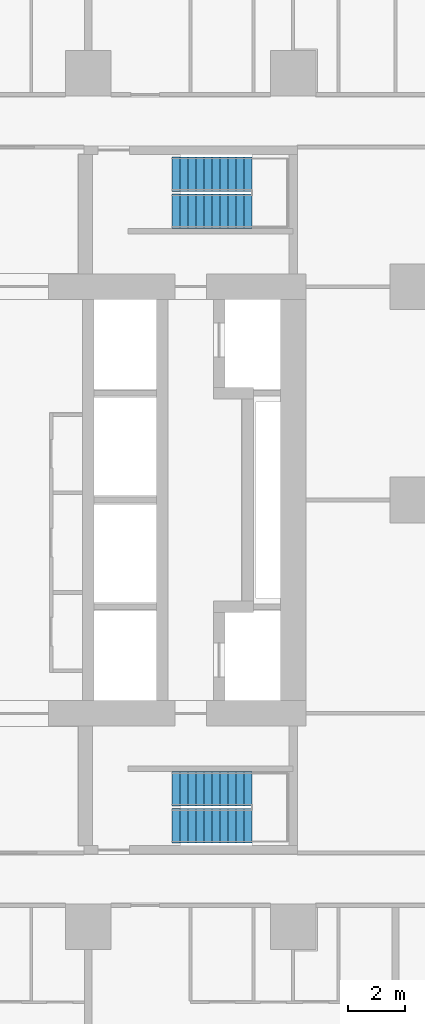
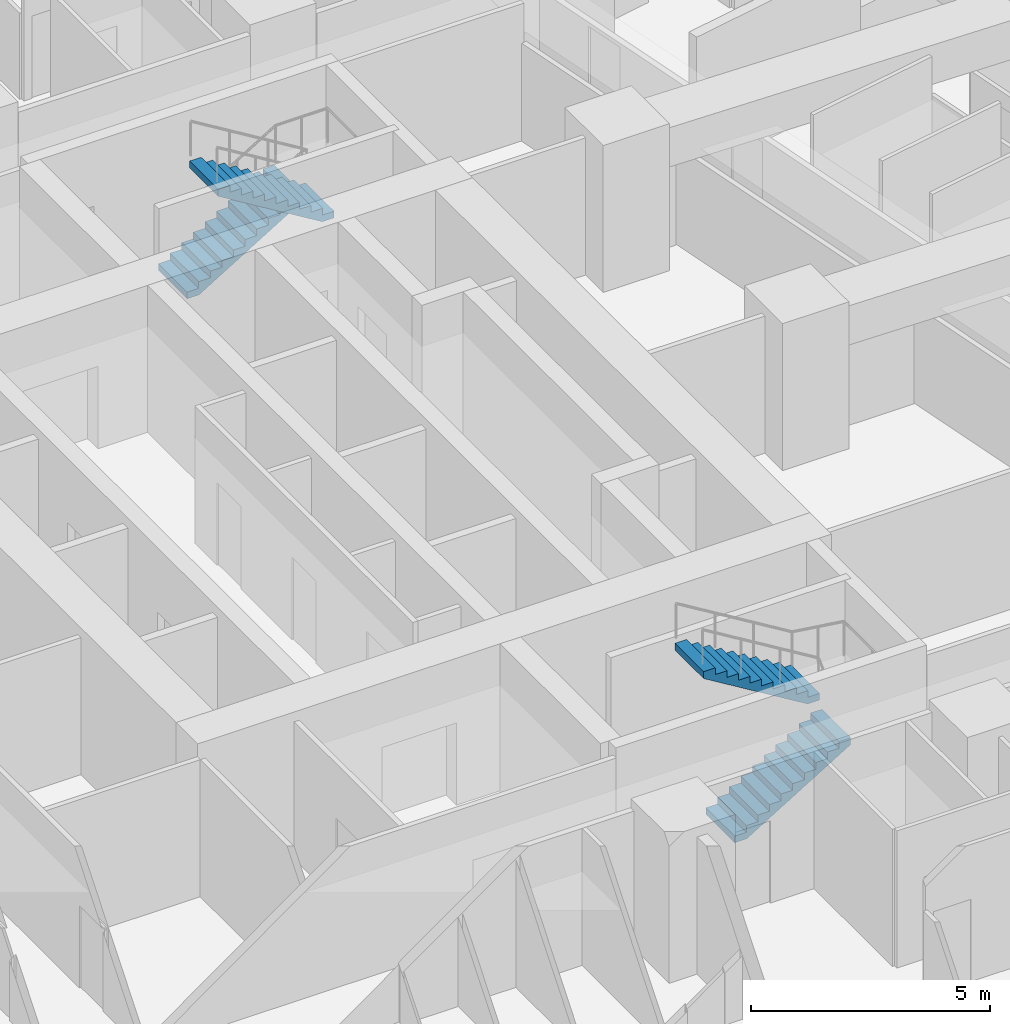
# One storey, part 12 of 15: 4 stair flights, 2 elements without a shape of their own.
"""IFC4 building model written with IfcOpenShell, lengths in metres."""

from ifc_helpers import new_model, si_unit, direction, frame, origin, place, context, subcontext, project, spatial, triangles, material, type_object, element, aggregate, save


model = new_model("IFC4")

# Units and contexts
model_context = context("Model", 3, precision=1e-05, world=origin(), true_north=direction((0.0, 1.0)))
body_context = subcontext(model_context, "Body", "Model", "MODEL_VIEW")
ifc_project = project(units=[si_unit("LENGTHUNIT", "METRE"), si_unit("AREAUNIT", "SQUARE_METRE"), si_unit("VOLUMEUNIT", "CUBIC_METRE"), si_unit("PLANEANGLEUNIT", "RADIAN"), si_unit("MASSUNIT", "GRAM", prefix="KILO")], contexts=[model_context])

# Site, building, storey
site_placement = place(None, origin())
site = spatial("IfcSite", under=ifc_project, at=site_placement, CompositionType="ELEMENT")
building_placement = place(site_placement, origin())
building = spatial("IfcBuilding", under=site, at=building_placement, Name="Sheger Commons Tower", CompositionType="ELEMENT")
storey_placement = place(building_placement, frame((0.0, 0.0, 100.39990234375)))
storey = spatial("IfcBuildingStorey", under=building, at=storey_placement, Name="L25", CompositionType="ELEMENT", Elevation=100.39990234375)

# Stair, stair flights
ifc_material_1 = material(Name="Concrete C35/45", Category="concrete")
stair_type = type_object("IfcStairType", Name="HALF-TURN STAIR 1200 RISE 3750", PredefinedType="HALF_TURN_STAIR", material=ifc_material_1)
stair_1_placement = place(storey_placement, origin())
stair_1 = element("IfcStair", 1, at=stair_1_placement, inside=storey, type_object=stair_type, Name="Stair S1 L25", PredefinedType="HALF_TURN_STAIR")
ifc_material_2 = material(Name="Concrete C35/45", Category="concrete")
stair_flight_type = type_object("IfcStairFlightType", Name="STAIR FLIGHT 1200 11 RISERS OF 170", PredefinedType="STRAIGHT", material=ifc_material_2)
stair_flight_1_placement = place(storey_placement, frame((24.550048828125, 11.050048828125, 0.0), z_axis=(0.0, 0.0, 1.0), x_axis=(1.0, 0.0, 0.0)))
stair_flight_1 = element("IfcStairFlight", 2, at=stair_flight_1_placement, type_object=stair_flight_type, Name="S1 flight 1", NumberOfRisers=11, NumberOfTreads=10, PredefinedType="STRAIGHT", RiserHeight=0.170454545, TreadLength=0.28, context=body_context, shape_type="Tessellation", body=[
    triangles([(0.0, 0.5999755859375, 0.0), (0.0, 0.5999755859375, 0.17041015625), (0.280029296875, 0.5999755859375, 0.17041015625), (0.280029296875, 0.5999755859375, 0.3408203125), (0.56005859375, 0.5999755859375, 0.3408203125), (0.56005859375, 0.5999755859375, 0.511474609375), (0.840087890625, 0.5999755859375, 0.511474609375), (0.840087890625, 0.5999755859375, 0.681884765625), (1.1201171875, 0.5999755859375, 0.681884765625), (1.1201171875, 0.5999755859375, 0.852294921875), (1.39990234375, 0.5999755859375, 0.852294921875), (1.39990234375, 0.5999755859375, 1.022705078125), (1.679931640625, 0.5999755859375, 1.022705078125), (1.679931640625, 0.5999755859375, 1.193115234375), (1.9599609375, 0.5999755859375, 1.193115234375), (1.9599609375, 0.5999755859375, 1.363525390625), (2.239990234375, 0.5999755859375, 1.363525390625), (2.239990234375, 0.5999755859375, 1.5341796875), (2.52001953125, 0.5999755859375, 1.5341796875), (2.52001953125, 0.5999755859375, 1.70458984375), (2.800048828125, 0.5999755859375, 1.70458984375), (2.800048828125, 0.5999755859375, 1.529052734375), (0.288330078125, 0.5999755859375, 0.0), (0.0, -0.5999755859375, 0.0), (0.0, -0.5999755859375, 0.17041015625), (0.280029296875, -0.5999755859375, 0.17041015625), (0.280029296875, -0.5999755859375, 0.3408203125), (0.56005859375, -0.5999755859375, 0.3408203125), (0.56005859375, -0.5999755859375, 0.511474609375), (0.840087890625, -0.5999755859375, 0.511474609375), (0.840087890625, -0.5999755859375, 0.681884765625), (1.1201171875, -0.5999755859375, 0.681884765625), (1.1201171875, -0.5999755859375, 0.852294921875), (1.39990234375, -0.5999755859375, 0.852294921875), (1.39990234375, -0.5999755859375, 1.022705078125), (1.679931640625, -0.5999755859375, 1.022705078125), (1.679931640625, -0.5999755859375, 1.193115234375), (1.9599609375, -0.5999755859375, 1.193115234375), (1.9599609375, -0.5999755859375, 1.363525390625), (2.239990234375, -0.5999755859375, 1.363525390625), (2.239990234375, -0.5999755859375, 1.5341796875), (2.52001953125, -0.5999755859375, 1.5341796875), (2.52001953125, -0.5999755859375, 1.70458984375), (2.800048828125, -0.5999755859375, 1.70458984375), (2.800048828125, -0.5999755859375, 1.529052734375), (0.288330078125, -0.5999755859375, 0.0), (0.0, 0.0, 0.085205078125), (0.1400146484375, 0.0, 0.17041015625), (0.280029296875, 0.0, 0.255615234375), (0.4200439453125, 0.0, 0.3408203125), (0.56005859375, 0.0, 0.4261474609375), (0.7000732421875, 0.0, 0.511474609375), (0.840087890625, 0.0, 0.5966796875), (0.9801025390625, 0.0, 0.681884765625), (1.1201171875, 0.0, 0.76708984375), (1.260009765625, 0.0, 0.852294921875), (1.39990234375, 0.0, 0.9375), (1.5399169921875, 0.0, 1.022705078125), (1.679931640625, 0.0, 1.10791015625), (1.8199462890625, 0.0, 1.193115234375), (1.9599609375, 0.0, 1.2783203125), (2.0999755859375, 0.0, 1.363525390625), (2.239990234375, 0.0, 1.4488525390625), (2.3800048828125, 0.0, 1.5341796875), (2.52001953125, 0.0, 1.619384765625), (2.6600341796875, 0.0, 1.70458984375), (2.800048828125, 0.0, 1.6168212890625), (1.544189453125, 0.0, 0.7645263671875), (0.1441650390625, 0.0, 0.0)], [[1, 22, 23], [24, 46, 45], [22, 20, 21], [45, 44, 43], [22, 19, 20], [45, 43, 42], [22, 18, 19], [45, 42, 41], [22, 17, 18], [45, 41, 40], [17, 15, 16], [40, 39, 38], [22, 15, 17], [45, 40, 38], [15, 13, 14], [38, 37, 36], [22, 13, 15], [45, 38, 36], [13, 11, 12], [36, 35, 34], [22, 11, 13], [45, 36, 34], [11, 9, 10], [34, 33, 32], [22, 9, 11], [45, 34, 32], [9, 7, 8], [32, 31, 30], [22, 7, 9], [45, 32, 30], [7, 5, 6], [30, 29, 28], [22, 5, 7], [45, 30, 28], [5, 3, 4], [28, 27, 26], [22, 3, 5], [45, 28, 26], [1, 3, 22], [24, 45, 26], [3, 1, 2], [26, 25, 24], [1, 47, 2], [2, 47, 25], [25, 47, 24], [24, 47, 1], [2, 48, 3], [3, 48, 26], [26, 48, 25], [25, 48, 2], [3, 49, 4], [4, 49, 27], [27, 49, 26], [26, 49, 3], [4, 50, 5], [5, 50, 28], [28, 50, 27], [27, 50, 4], [5, 51, 6], [6, 51, 29], [29, 51, 28], [28, 51, 5], [6, 52, 7], [7, 52, 30], [30, 52, 29], [29, 52, 6], [7, 53, 8], [8, 53, 31], [31, 53, 30], [30, 53, 7], [8, 54, 9], [9, 54, 32], [32, 54, 31], [31, 54, 8], [9, 55, 10], [10, 55, 33], [33, 55, 32], [32, 55, 9], [10, 56, 11], [11, 56, 34], [34, 56, 33], [33, 56, 10], [11, 57, 12], [12, 57, 35], [35, 57, 34], [34, 57, 11], [12, 58, 13], [13, 58, 36], [36, 58, 35], [35, 58, 12], [13, 59, 14], [14, 59, 37], [37, 59, 36], [36, 59, 13], [14, 60, 15], [15, 60, 38], [38, 60, 37], [37, 60, 14], [15, 61, 16], [16, 61, 39], [39, 61, 38], [38, 61, 15], [16, 62, 17], [17, 62, 40], [40, 62, 39], [39, 62, 16], [17, 63, 18], [18, 63, 41], [41, 63, 40], [40, 63, 17], [18, 64, 19], [19, 64, 42], [42, 64, 41], [41, 64, 18], [19, 65, 20], [20, 65, 43], [43, 65, 42], [42, 65, 19], [20, 66, 21], [21, 66, 44], [44, 66, 43], [43, 66, 20], [21, 67, 22], [22, 67, 45], [45, 67, 44], [44, 67, 21], [22, 68, 23], [23, 68, 46], [46, 68, 45], [45, 68, 22], [23, 69, 1], [1, 69, 24], [24, 69, 46], [46, 69, 23]], closed=True),
])
stair_flight_2_placement = place(storey_placement, frame((27.35009765625, 12.35009765625, 1.875), z_axis=(0.0, 0.0, 1.0), x_axis=(-1.0, 0.0, 0.0)))
stair_flight_2 = element("IfcStairFlight", 3, at=stair_flight_2_placement, type_object=stair_flight_type, Name="S1 flight 2", NumberOfRisers=11, NumberOfTreads=10, PredefinedType="STRAIGHT", RiserHeight=0.170454545, TreadLength=0.28, context=body_context, shape_type="Tessellation", body=[
    triangles([(0.0, 0.5999755859375, 0.0), (0.0, 0.5999755859375, 0.17041015625), (0.280029296875, 0.5999755859375, 0.17041015625), (0.280029296875, 0.5999755859375, 0.3408203125), (0.56005859375, 0.5999755859375, 0.3408203125), (0.56005859375, 0.5999755859375, 0.511474609375), (0.840087890625, 0.5999755859375, 0.511474609375), (0.840087890625, 0.5999755859375, 0.681884765625), (1.1201171875, 0.5999755859375, 0.681884765625), (1.1201171875, 0.5999755859375, 0.852294921875), (1.39990234375, 0.5999755859375, 0.852294921875), (1.39990234375, 0.5999755859375, 1.022705078125), (1.679931640625, 0.5999755859375, 1.022705078125), (1.679931640625, 0.5999755859375, 1.193115234375), (1.9599609375, 0.5999755859375, 1.193115234375), (1.9599609375, 0.5999755859375, 1.363525390625), (2.239990234375, 0.5999755859375, 1.363525390625), (2.239990234375, 0.5999755859375, 1.5341796875), (2.52001953125, 0.5999755859375, 1.5341796875), (2.52001953125, 0.5999755859375, 1.70458984375), (2.800048828125, 0.5999755859375, 1.70458984375), (2.800048828125, 0.5999755859375, 1.529052734375), (0.288330078125, 0.5999755859375, 0.0), (0.0, -0.5999755859375, 0.0), (0.0, -0.5999755859375, 0.17041015625), (0.280029296875, -0.5999755859375, 0.17041015625), (0.280029296875, -0.5999755859375, 0.3408203125), (0.56005859375, -0.5999755859375, 0.3408203125), (0.56005859375, -0.5999755859375, 0.511474609375), (0.840087890625, -0.5999755859375, 0.511474609375), (0.840087890625, -0.5999755859375, 0.681884765625), (1.1201171875, -0.5999755859375, 0.681884765625), (1.1201171875, -0.5999755859375, 0.852294921875), (1.39990234375, -0.5999755859375, 0.852294921875), (1.39990234375, -0.5999755859375, 1.022705078125), (1.679931640625, -0.5999755859375, 1.022705078125), (1.679931640625, -0.5999755859375, 1.193115234375), (1.9599609375, -0.5999755859375, 1.193115234375), (1.9599609375, -0.5999755859375, 1.363525390625), (2.239990234375, -0.5999755859375, 1.363525390625), (2.239990234375, -0.5999755859375, 1.5341796875), (2.52001953125, -0.5999755859375, 1.5341796875), (2.52001953125, -0.5999755859375, 1.70458984375), (2.800048828125, -0.5999755859375, 1.70458984375), (2.800048828125, -0.5999755859375, 1.529052734375), (0.288330078125, -0.5999755859375, 0.0), (0.0, 0.0, 0.085205078125), (0.1400146484375, 0.0, 0.17041015625), (0.280029296875, 0.0, 0.255615234375), (0.4200439453125, 0.0, 0.3408203125), (0.56005859375, 0.0, 0.4261474609375), (0.7000732421875, 0.0, 0.511474609375), (0.840087890625, 0.0, 0.5966796875), (0.9801025390625, 0.0, 0.681884765625), (1.1201171875, 0.0, 0.76708984375), (1.260009765625, 0.0, 0.852294921875), (1.39990234375, 0.0, 0.9375), (1.5399169921875, 0.0, 1.022705078125), (1.679931640625, 0.0, 1.10791015625), (1.8199462890625, 0.0, 1.193115234375), (1.9599609375, 0.0, 1.2783203125), (2.0999755859375, 0.0, 1.363525390625), (2.239990234375, 0.0, 1.4488525390625), (2.3800048828125, 0.0, 1.5341796875), (2.52001953125, 0.0, 1.619384765625), (2.6600341796875, 0.0, 1.70458984375), (2.800048828125, 0.0, 1.6168212890625), (1.544189453125, 0.0, 0.7645263671875), (0.1441650390625, 0.0, 0.0)], [[1, 22, 23], [24, 46, 45], [22, 20, 21], [45, 44, 43], [22, 19, 20], [45, 43, 42], [22, 18, 19], [45, 42, 41], [22, 17, 18], [45, 41, 40], [17, 15, 16], [40, 39, 38], [22, 15, 17], [45, 40, 38], [15, 13, 14], [38, 37, 36], [22, 13, 15], [45, 38, 36], [13, 11, 12], [36, 35, 34], [22, 11, 13], [45, 36, 34], [11, 9, 10], [34, 33, 32], [22, 9, 11], [45, 34, 32], [9, 7, 8], [32, 31, 30], [22, 7, 9], [45, 32, 30], [7, 5, 6], [30, 29, 28], [22, 5, 7], [45, 30, 28], [5, 3, 4], [28, 27, 26], [22, 3, 5], [45, 28, 26], [1, 3, 22], [24, 45, 26], [3, 1, 2], [26, 25, 24], [1, 47, 2], [2, 47, 25], [25, 47, 24], [24, 47, 1], [2, 48, 3], [3, 48, 26], [26, 48, 25], [25, 48, 2], [3, 49, 4], [4, 49, 27], [27, 49, 26], [26, 49, 3], [4, 50, 5], [5, 50, 28], [28, 50, 27], [27, 50, 4], [5, 51, 6], [6, 51, 29], [29, 51, 28], [28, 51, 5], [6, 52, 7], [7, 52, 30], [30, 52, 29], [29, 52, 6], [7, 53, 8], [8, 53, 31], [31, 53, 30], [30, 53, 7], [8, 54, 9], [9, 54, 32], [32, 54, 31], [31, 54, 8], [9, 55, 10], [10, 55, 33], [33, 55, 32], [32, 55, 9], [10, 56, 11], [11, 56, 34], [34, 56, 33], [33, 56, 10], [11, 57, 12], [12, 57, 35], [35, 57, 34], [34, 57, 11], [12, 58, 13], [13, 58, 36], [36, 58, 35], [35, 58, 12], [13, 59, 14], [14, 59, 37], [37, 59, 36], [36, 59, 13], [14, 60, 15], [15, 60, 38], [38, 60, 37], [37, 60, 14], [15, 61, 16], [16, 61, 39], [39, 61, 38], [38, 61, 15], [16, 62, 17], [17, 62, 40], [40, 62, 39], [39, 62, 16], [17, 63, 18], [18, 63, 41], [41, 63, 40], [40, 63, 17], [18, 64, 19], [19, 64, 42], [42, 64, 41], [41, 64, 18], [19, 65, 20], [20, 65, 43], [43, 65, 42], [42, 65, 19], [20, 66, 21], [21, 66, 44], [44, 66, 43], [43, 66, 20], [21, 67, 22], [22, 67, 45], [45, 67, 44], [44, 67, 21], [22, 68, 23], [23, 68, 46], [46, 68, 45], [45, 68, 22], [23, 69, 1], [1, 69, 24], [24, 69, 46], [46, 69, 23]], closed=True),
])
aggregate(stair_1, [stair_flight_1, stair_flight_2])

stair_2_placement = place(storey_placement, origin())
stair_2 = element("IfcStair", 4, at=stair_2_placement, inside=storey, type_object=stair_type, Name="Stair S2 L25", PredefinedType="HALF_TURN_STAIR")
stair_flight_3_placement = place(storey_placement, frame((24.550048828125, 33.949951171875, 0.0), z_axis=(0.0, 0.0, 1.0), x_axis=(1.0, 0.0, 0.0)))
stair_flight_3 = element("IfcStairFlight", 5, at=stair_flight_3_placement, type_object=stair_flight_type, Name="S2 flight 1", NumberOfRisers=11, NumberOfTreads=10, PredefinedType="STRAIGHT", RiserHeight=0.170454545, TreadLength=0.28, context=body_context, shape_type="Tessellation", body=[
    triangles([(0.0, 0.5999755859375, 0.0), (0.0, 0.5999755859375, 0.17041015625), (0.280029296875, 0.5999755859375, 0.17041015625), (0.280029296875, 0.5999755859375, 0.3408203125), (0.56005859375, 0.5999755859375, 0.3408203125), (0.56005859375, 0.5999755859375, 0.511474609375), (0.840087890625, 0.5999755859375, 0.511474609375), (0.840087890625, 0.5999755859375, 0.681884765625), (1.1201171875, 0.5999755859375, 0.681884765625), (1.1201171875, 0.5999755859375, 0.852294921875), (1.39990234375, 0.5999755859375, 0.852294921875), (1.39990234375, 0.5999755859375, 1.022705078125), (1.679931640625, 0.5999755859375, 1.022705078125), (1.679931640625, 0.5999755859375, 1.193115234375), (1.9599609375, 0.5999755859375, 1.193115234375), (1.9599609375, 0.5999755859375, 1.363525390625), (2.239990234375, 0.5999755859375, 1.363525390625), (2.239990234375, 0.5999755859375, 1.5341796875), (2.52001953125, 0.5999755859375, 1.5341796875), (2.52001953125, 0.5999755859375, 1.70458984375), (2.800048828125, 0.5999755859375, 1.70458984375), (2.800048828125, 0.5999755859375, 1.529052734375), (0.288330078125, 0.5999755859375, 0.0), (0.0, -0.5999755859375, 0.0), (0.0, -0.5999755859375, 0.17041015625), (0.280029296875, -0.5999755859375, 0.17041015625), (0.280029296875, -0.5999755859375, 0.3408203125), (0.56005859375, -0.5999755859375, 0.3408203125), (0.56005859375, -0.5999755859375, 0.511474609375), (0.840087890625, -0.5999755859375, 0.511474609375), (0.840087890625, -0.5999755859375, 0.681884765625), (1.1201171875, -0.5999755859375, 0.681884765625), (1.1201171875, -0.5999755859375, 0.852294921875), (1.39990234375, -0.5999755859375, 0.852294921875), (1.39990234375, -0.5999755859375, 1.022705078125), (1.679931640625, -0.5999755859375, 1.022705078125), (1.679931640625, -0.5999755859375, 1.193115234375), (1.9599609375, -0.5999755859375, 1.193115234375), (1.9599609375, -0.5999755859375, 1.363525390625), (2.239990234375, -0.5999755859375, 1.363525390625), (2.239990234375, -0.5999755859375, 1.5341796875), (2.52001953125, -0.5999755859375, 1.5341796875), (2.52001953125, -0.5999755859375, 1.70458984375), (2.800048828125, -0.5999755859375, 1.70458984375), (2.800048828125, -0.5999755859375, 1.529052734375), (0.288330078125, -0.5999755859375, 0.0), (0.0, 0.0, 0.085205078125), (0.1400146484375, 0.0, 0.17041015625), (0.280029296875, 0.0, 0.255615234375), (0.4200439453125, 0.0, 0.3408203125), (0.56005859375, 0.0, 0.4261474609375), (0.7000732421875, 0.0, 0.511474609375), (0.840087890625, 0.0, 0.5966796875), (0.9801025390625, 0.0, 0.681884765625), (1.1201171875, 0.0, 0.76708984375), (1.260009765625, 0.0, 0.852294921875), (1.39990234375, 0.0, 0.9375), (1.5399169921875, 0.0, 1.022705078125), (1.679931640625, 0.0, 1.10791015625), (1.8199462890625, 0.0, 1.193115234375), (1.9599609375, 0.0, 1.2783203125), (2.0999755859375, 0.0, 1.363525390625), (2.239990234375, 0.0, 1.4488525390625), (2.3800048828125, 0.0, 1.5341796875), (2.52001953125, 0.0, 1.619384765625), (2.6600341796875, 0.0, 1.70458984375), (2.800048828125, 0.0, 1.6168212890625), (1.544189453125, 0.0, 0.7645263671875), (0.1441650390625, 0.0, 0.0)], [[1, 22, 23], [24, 46, 45], [22, 20, 21], [45, 44, 43], [22, 19, 20], [45, 43, 42], [22, 18, 19], [45, 42, 41], [22, 17, 18], [45, 41, 40], [17, 15, 16], [40, 39, 38], [22, 15, 17], [45, 40, 38], [15, 13, 14], [38, 37, 36], [22, 13, 15], [45, 38, 36], [13, 11, 12], [36, 35, 34], [22, 11, 13], [45, 36, 34], [11, 9, 10], [34, 33, 32], [22, 9, 11], [45, 34, 32], [9, 7, 8], [32, 31, 30], [22, 7, 9], [45, 32, 30], [7, 5, 6], [30, 29, 28], [22, 5, 7], [45, 30, 28], [5, 3, 4], [28, 27, 26], [22, 3, 5], [45, 28, 26], [1, 3, 22], [24, 45, 26], [3, 1, 2], [26, 25, 24], [1, 47, 2], [2, 47, 25], [25, 47, 24], [24, 47, 1], [2, 48, 3], [3, 48, 26], [26, 48, 25], [25, 48, 2], [3, 49, 4], [4, 49, 27], [27, 49, 26], [26, 49, 3], [4, 50, 5], [5, 50, 28], [28, 50, 27], [27, 50, 4], [5, 51, 6], [6, 51, 29], [29, 51, 28], [28, 51, 5], [6, 52, 7], [7, 52, 30], [30, 52, 29], [29, 52, 6], [7, 53, 8], [8, 53, 31], [31, 53, 30], [30, 53, 7], [8, 54, 9], [9, 54, 32], [32, 54, 31], [31, 54, 8], [9, 55, 10], [10, 55, 33], [33, 55, 32], [32, 55, 9], [10, 56, 11], [11, 56, 34], [34, 56, 33], [33, 56, 10], [11, 57, 12], [12, 57, 35], [35, 57, 34], [34, 57, 11], [12, 58, 13], [13, 58, 36], [36, 58, 35], [35, 58, 12], [13, 59, 14], [14, 59, 37], [37, 59, 36], [36, 59, 13], [14, 60, 15], [15, 60, 38], [38, 60, 37], [37, 60, 14], [15, 61, 16], [16, 61, 39], [39, 61, 38], [38, 61, 15], [16, 62, 17], [17, 62, 40], [40, 62, 39], [39, 62, 16], [17, 63, 18], [18, 63, 41], [41, 63, 40], [40, 63, 17], [18, 64, 19], [19, 64, 42], [42, 64, 41], [41, 64, 18], [19, 65, 20], [20, 65, 43], [43, 65, 42], [42, 65, 19], [20, 66, 21], [21, 66, 44], [44, 66, 43], [43, 66, 20], [21, 67, 22], [22, 67, 45], [45, 67, 44], [44, 67, 21], [22, 68, 23], [23, 68, 46], [46, 68, 45], [45, 68, 22], [23, 69, 1], [1, 69, 24], [24, 69, 46], [46, 69, 23]], closed=True),
])
stair_flight_4_placement = place(storey_placement, frame((27.35009765625, 32.64990234375, 1.875), z_axis=(0.0, 0.0, 1.0), x_axis=(-1.0, 0.0, 0.0)))
stair_flight_4 = element("IfcStairFlight", 6, at=stair_flight_4_placement, type_object=stair_flight_type, Name="S2 flight 2", NumberOfRisers=11, NumberOfTreads=10, PredefinedType="STRAIGHT", RiserHeight=0.170454545, TreadLength=0.28, context=body_context, shape_type="Tessellation", body=[
    triangles([(0.0, 0.5999755859375, 0.0), (0.0, 0.5999755859375, 0.17041015625), (0.280029296875, 0.5999755859375, 0.17041015625), (0.280029296875, 0.5999755859375, 0.3408203125), (0.56005859375, 0.5999755859375, 0.3408203125), (0.56005859375, 0.5999755859375, 0.511474609375), (0.840087890625, 0.5999755859375, 0.511474609375), (0.840087890625, 0.5999755859375, 0.681884765625), (1.1201171875, 0.5999755859375, 0.681884765625), (1.1201171875, 0.5999755859375, 0.852294921875), (1.39990234375, 0.5999755859375, 0.852294921875), (1.39990234375, 0.5999755859375, 1.022705078125), (1.679931640625, 0.5999755859375, 1.022705078125), (1.679931640625, 0.5999755859375, 1.193115234375), (1.9599609375, 0.5999755859375, 1.193115234375), (1.9599609375, 0.5999755859375, 1.363525390625), (2.239990234375, 0.5999755859375, 1.363525390625), (2.239990234375, 0.5999755859375, 1.5341796875), (2.52001953125, 0.5999755859375, 1.5341796875), (2.52001953125, 0.5999755859375, 1.70458984375), (2.800048828125, 0.5999755859375, 1.70458984375), (2.800048828125, 0.5999755859375, 1.529052734375), (0.288330078125, 0.5999755859375, 0.0), (0.0, -0.5999755859375, 0.0), (0.0, -0.5999755859375, 0.17041015625), (0.280029296875, -0.5999755859375, 0.17041015625), (0.280029296875, -0.5999755859375, 0.3408203125), (0.56005859375, -0.5999755859375, 0.3408203125), (0.56005859375, -0.5999755859375, 0.511474609375), (0.840087890625, -0.5999755859375, 0.511474609375), (0.840087890625, -0.5999755859375, 0.681884765625), (1.1201171875, -0.5999755859375, 0.681884765625), (1.1201171875, -0.5999755859375, 0.852294921875), (1.39990234375, -0.5999755859375, 0.852294921875), (1.39990234375, -0.5999755859375, 1.022705078125), (1.679931640625, -0.5999755859375, 1.022705078125), (1.679931640625, -0.5999755859375, 1.193115234375), (1.9599609375, -0.5999755859375, 1.193115234375), (1.9599609375, -0.5999755859375, 1.363525390625), (2.239990234375, -0.5999755859375, 1.363525390625), (2.239990234375, -0.5999755859375, 1.5341796875), (2.52001953125, -0.5999755859375, 1.5341796875), (2.52001953125, -0.5999755859375, 1.70458984375), (2.800048828125, -0.5999755859375, 1.70458984375), (2.800048828125, -0.5999755859375, 1.529052734375), (0.288330078125, -0.5999755859375, 0.0), (0.0, 0.0, 0.085205078125), (0.1400146484375, 0.0, 0.17041015625), (0.280029296875, 0.0, 0.255615234375), (0.4200439453125, 0.0, 0.3408203125), (0.56005859375, 0.0, 0.4261474609375), (0.7000732421875, 0.0, 0.511474609375), (0.840087890625, 0.0, 0.5966796875), (0.9801025390625, 0.0, 0.681884765625), (1.1201171875, 0.0, 0.76708984375), (1.260009765625, 0.0, 0.852294921875), (1.39990234375, 0.0, 0.9375), (1.5399169921875, 0.0, 1.022705078125), (1.679931640625, 0.0, 1.10791015625), (1.8199462890625, 0.0, 1.193115234375), (1.9599609375, 0.0, 1.2783203125), (2.0999755859375, 0.0, 1.363525390625), (2.239990234375, 0.0, 1.4488525390625), (2.3800048828125, 0.0, 1.5341796875), (2.52001953125, 0.0, 1.619384765625), (2.6600341796875, 0.0, 1.70458984375), (2.800048828125, 0.0, 1.6168212890625), (1.544189453125, 0.0, 0.7645263671875), (0.1441650390625, 0.0, 0.0)], [[1, 22, 23], [24, 46, 45], [22, 20, 21], [45, 44, 43], [22, 19, 20], [45, 43, 42], [22, 18, 19], [45, 42, 41], [22, 17, 18], [45, 41, 40], [17, 15, 16], [40, 39, 38], [22, 15, 17], [45, 40, 38], [15, 13, 14], [38, 37, 36], [22, 13, 15], [45, 38, 36], [13, 11, 12], [36, 35, 34], [22, 11, 13], [45, 36, 34], [11, 9, 10], [34, 33, 32], [22, 9, 11], [45, 34, 32], [9, 7, 8], [32, 31, 30], [22, 7, 9], [45, 32, 30], [7, 5, 6], [30, 29, 28], [22, 5, 7], [45, 30, 28], [5, 3, 4], [28, 27, 26], [22, 3, 5], [45, 28, 26], [1, 3, 22], [24, 45, 26], [3, 1, 2], [26, 25, 24], [1, 47, 2], [2, 47, 25], [25, 47, 24], [24, 47, 1], [2, 48, 3], [3, 48, 26], [26, 48, 25], [25, 48, 2], [3, 49, 4], [4, 49, 27], [27, 49, 26], [26, 49, 3], [4, 50, 5], [5, 50, 28], [28, 50, 27], [27, 50, 4], [5, 51, 6], [6, 51, 29], [29, 51, 28], [28, 51, 5], [6, 52, 7], [7, 52, 30], [30, 52, 29], [29, 52, 6], [7, 53, 8], [8, 53, 31], [31, 53, 30], [30, 53, 7], [8, 54, 9], [9, 54, 32], [32, 54, 31], [31, 54, 8], [9, 55, 10], [10, 55, 33], [33, 55, 32], [32, 55, 9], [10, 56, 11], [11, 56, 34], [34, 56, 33], [33, 56, 10], [11, 57, 12], [12, 57, 35], [35, 57, 34], [34, 57, 11], [12, 58, 13], [13, 58, 36], [36, 58, 35], [35, 58, 12], [13, 59, 14], [14, 59, 37], [37, 59, 36], [36, 59, 13], [14, 60, 15], [15, 60, 38], [38, 60, 37], [37, 60, 14], [15, 61, 16], [16, 61, 39], [39, 61, 38], [38, 61, 15], [16, 62, 17], [17, 62, 40], [40, 62, 39], [39, 62, 16], [17, 63, 18], [18, 63, 41], [41, 63, 40], [40, 63, 17], [18, 64, 19], [19, 64, 42], [42, 64, 41], [41, 64, 18], [19, 65, 20], [20, 65, 43], [43, 65, 42], [42, 65, 19], [20, 66, 21], [21, 66, 44], [44, 66, 43], [43, 66, 20], [21, 67, 22], [22, 67, 45], [45, 67, 44], [44, 67, 21], [22, 68, 23], [23, 68, 46], [46, 68, 45], [45, 68, 22], [23, 69, 1], [1, 69, 24], [24, 69, 46], [46, 69, 23]], closed=True),
])
aggregate(stair_2, [stair_flight_3, stair_flight_4])

save(model, "model.ifc")
